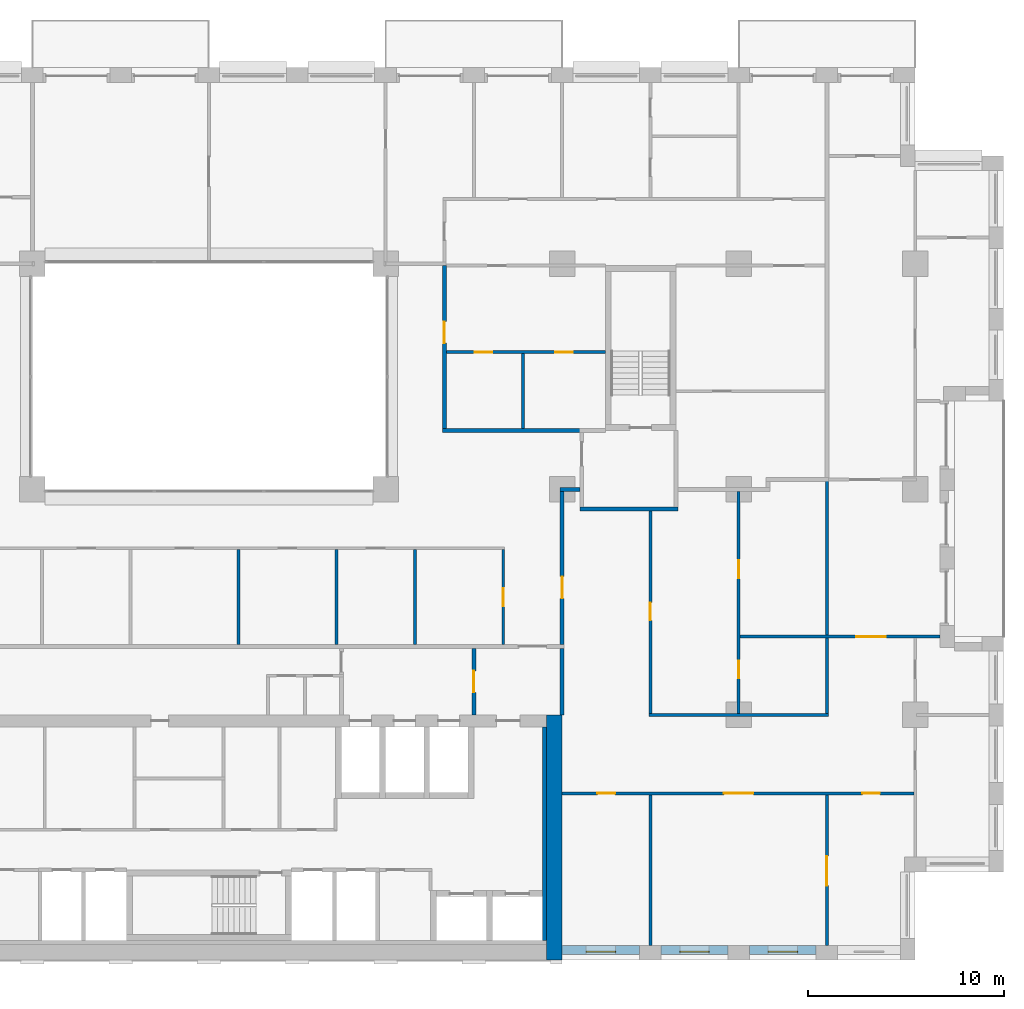
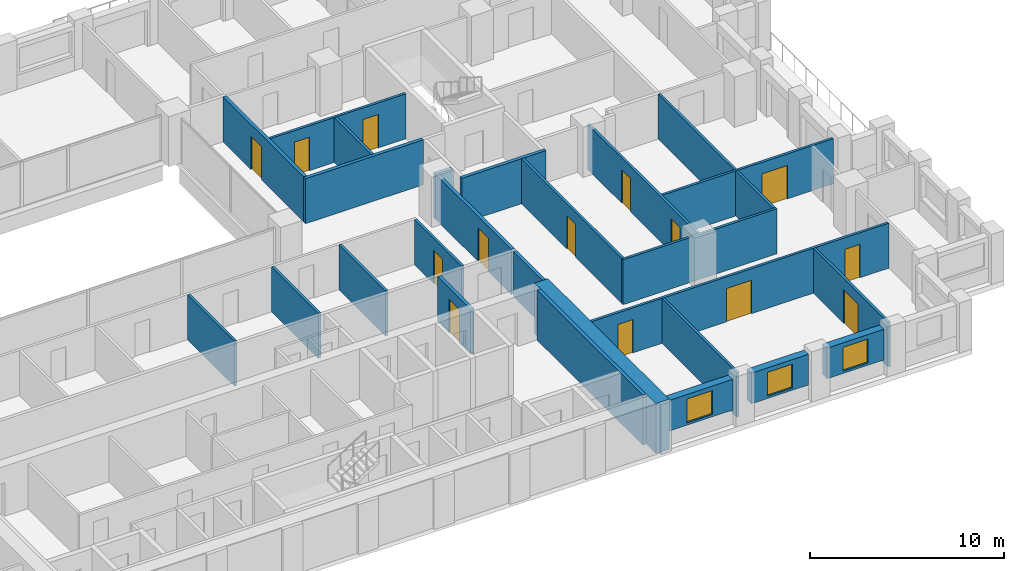
# One storey, part 11 of 16: 27 walls, 14 doors, 3 windows, 17 openings.
"""IFC4 building model written with IfcOpenShell, lengths in metres."""

import ifcopenshell
import ifcopenshell.guid

model = None  # the IFC model being written
_history = None  # IfcOwnerHistory: only IFC2X3 demands one
_inside = {}  # id of a spatial element -> (the spatial element, [elements in it])
_under = {}  # id of a project, library or spatial element -> (it, [spatial elements below it])
_declared = {}  # id of a project -> (the project, [libraries it declares])
_typed = {}  # id of a type object -> (the type object, [elements of that type])
_made_of = {}  # id of a material, layer set ... -> (it, [elements and type objects made of it])


def new_model(schema):
    """Start an empty IFC model of exactly this schema.

    Asked for "IFC4X3", IfcOpenShell would pick the latest addendum, in which some entities
    have other attributes; the version numbers below select the first issue.
    IFC2X3 requires an IfcOwnerHistory on every rooted entity: one is made here for all.
    """
    global model, _history
    if schema == "IFC4X3":
        model = ifcopenshell.file(schema_version=(4, 3, 0, 0))
    else:
        model = ifcopenshell.file(schema=schema)
    _inside.clear()
    _under.clear()
    _declared.clear()
    _typed.clear()
    _made_of.clear()
    _history = None
    if model.schema == "IFC2X3":
        org = make("IfcOrganization", Name="unknown")
        user = make(
            "IfcPersonAndOrganization",
            ThePerson=make("IfcPerson", FamilyName="unknown"),
            TheOrganization=org,
        )
        app = make(
            "IfcApplication",
            ApplicationDeveloper=org,
            Version="unknown",
            ApplicationFullName="unknown",
            ApplicationIdentifier="unknown",
        )
        _history = make(
            "IfcOwnerHistory",
            OwningUser=user,
            OwningApplication=app,
            ChangeAction="ADDED",
            CreationDate=0,
        )
    return model


def make(cls, **values):
    """One entity of the class cls with the attributes given. An attribute that is None is left unset."""
    return model.create_entity(
        cls, **{name: value for name, value in values.items() if value is not None}
    )


def rooted(cls, **values):
    """An entity with a GlobalId (a new one), such as an element, a storey or a relation."""
    return make(cls, GlobalId=ifcopenshell.guid.new(), OwnerHistory=_history, **values)


def si_unit(unit_type, name, prefix=None):
    """IfcSIUnit, for example si_unit("LENGTHUNIT", "METRE", prefix="MILLI")."""
    return make("IfcSIUnit", UnitType=unit_type, Prefix=prefix, Name=name)


def assignment(units):
    """IfcUnitAssignment: the units of a project."""
    return None if units is None else make("IfcUnitAssignment", Units=units)


def point(xyz):
    """IfcCartesianPoint."""
    return None if xyz is None else make("IfcCartesianPoint", Coordinates=xyz)


def direction(xyz):
    """IfcDirection."""
    return None if xyz is None else make("IfcDirection", DirectionRatios=xyz)


def frame(location, z_axis=None, x_axis=None):
    """IfcAxis2Placement3D, a coordinate frame: its origin and axes. An axis left out is left unset."""
    return make(
        "IfcAxis2Placement3D",
        Location=point(location),
        Axis=direction(z_axis),
        RefDirection=direction(x_axis),
    )


def frame_2d(location, x_axis=None):
    """IfcAxis2Placement2D, a coordinate frame in the plane: its origin and x axis."""
    return make(
        "IfcAxis2Placement2D", Location=point(location), RefDirection=direction(x_axis)
    )


def origin():
    """The frame at (0, 0, 0) with its axes left unset."""
    return frame((0.0, 0.0, 0.0))


def place(relative_to, where):
    """IfcLocalPlacement: puts the frame where relative to a parent placement (None: the world)."""
    return make(
        "IfcLocalPlacement", PlacementRelTo=relative_to, RelativePlacement=where
    )


def context(
    kind, dimensions, precision=None, world=None, true_north=None, identifier=None
):
    """IfcGeometricRepresentationContext, for example the 3D "Model" context."""
    return make(
        "IfcGeometricRepresentationContext",
        ContextIdentifier=identifier,
        ContextType=kind,
        CoordinateSpaceDimension=dimensions,
        Precision=precision,
        WorldCoordinateSystem=world,
        TrueNorth=true_north,
    )


def subcontext(parent, identifier, kind, view, scale=None):
    """IfcGeometricRepresentationSubContext, for example "Body" below "Model"."""
    return make(
        "IfcGeometricRepresentationSubContext",
        ContextIdentifier=identifier,
        ContextType=kind,
        ParentContext=parent,
        TargetScale=scale,
        TargetView=view,
    )


def project(units=None, contexts=None):
    """IfcProject with its units and contexts."""
    return rooted(
        "IfcProject",
        Name="project",
        RepresentationContexts=contexts,
        UnitsInContext=assignment(units),
    )


def spatial(cls, under=None, at=None, **own):
    """A site, building, storey or space (cls), placed at a placement, below another one or the project."""
    s = rooted(cls, ObjectPlacement=at, **own)
    if under is not None:
        _under.setdefault(under.id(), (under, []))[1].append(s)
    return s


def profile(cls, at=None, kind="AREA", **sizes):
    """A parametric profile (cls). Its sizes go by their IFC names, for example OverallWidth=200.0."""
    return make(cls, ProfileType=kind, Position=at, **sizes)


def rectangle(**sizes):
    """IfcRectangleProfileDef."""
    return profile("IfcRectangleProfileDef", **sizes)


def extrude(swept, where, along, depth):
    """IfcExtrudedAreaSolid: the profile swept, set in the frame where, extruded along a direction by depth."""
    return make(
        "IfcExtrudedAreaSolid",
        SweptArea=swept,
        Position=where,
        ExtrudedDirection=direction(along),
        Depth=depth,
    )


def shape(context_of_items, identifier, shape_type, items):
    """IfcShapeRepresentation: the items that make up one representation, for example the "Body"."""
    return make(
        "IfcShapeRepresentation",
        ContextOfItems=context_of_items,
        RepresentationIdentifier=identifier,
        RepresentationType=shape_type,
        Items=items,
    )


def material(Name=None, Category=None):
    """IfcMaterial."""
    return make("IfcMaterial", Name=Name, Category=Category)


def layer(
    of_material, thickness, ventilated=None, Name=None, Category=None, Priority=None
):
    """IfcMaterialLayer: one layer of a wall or slab, of a material (None: an air gap)."""
    return make(
        "IfcMaterialLayer",
        Material=of_material,
        LayerThickness=thickness,
        IsVentilated=ventilated,
        Name=Name,
        Category=Category,
        Priority=Priority,
    )


def layer_set(layers, Name=None):
    """IfcMaterialLayerSet."""
    return make("IfcMaterialLayerSet", MaterialLayers=layers, LayerSetName=Name)


def made_of(thing, what):
    """Note that an element or type object is made of a material, layer set ...; save() writes the relation."""
    if what is not None:
        _made_of.setdefault(what.id(), (what, []))[1].append(thing)
    return thing


def type_object(cls, material=None, **own):
    """A type object (cls), such as IfcWallType, which elements share."""
    return made_of(rooted(cls, **own), material)


def element(
    cls,
    number,
    at=None,
    inside=None,
    cuts=None,
    type_object=None,
    material=None,
    context=None,
    identifier="Body",
    shape_type=None,
    held_by="IfcProductDefinitionShape",
    body=None,
    shapes=None,
    **own,
):
    """One element of the class cls, such as IfcWall. Its Tag is "e" and its number.

    at: its placement. inside: the storey or other place that contains it. cuts: it is an
    opening in that element (IfcRelVoidsElement). A single representation is given by context,
    identifier, shape_type and body (its items); several are given by shapes. held_by: the class
    of the entity that holds the representations. save() writes the other relations.
    """
    e = rooted(cls, Tag="e%d" % number, ObjectPlacement=at, **own)
    if body is not None:
        shapes = [shape(context, identifier, shape_type, body)]
    if shapes is not None:
        e.Representation = make(held_by, Representations=shapes)
    if inside is not None:
        _inside.setdefault(inside.id(), (inside, []))[1].append(e)
    if cuts is not None:
        rooted(
            "IfcRelVoidsElement", RelatingBuildingElement=cuts, RelatedOpeningElement=e
        )
    if type_object is not None:
        _typed.setdefault(type_object.id(), (type_object, []))[1].append(e)
    return made_of(e, material)


def fill(opening, filler):
    """IfcRelFillsElement: the door or window that sits in an opening."""
    return rooted(
        "IfcRelFillsElement",
        RelatingOpeningElement=opening,
        RelatedBuildingElement=filler,
    )


def aggregate(whole, parts):
    """IfcRelAggregates: a whole, such as a stair, and the parts it consists of."""
    return rooted("IfcRelAggregates", RelatingObject=whole, RelatedObjects=parts)


def save(model, path):
    """Write the relations noted so far, then the file.

    IfcRelAggregates (storeys below a building ...), IfcRelContainedInSpatialStructure (elements
    in a storey), IfcRelDefinesByType, IfcRelAssociatesMaterial and IfcRelDeclares: one each for
    every whole, place, type object, material and project.
    """
    for whole, parts in _under.values():
        aggregate(whole, parts)
    for where, things in _inside.values():
        rooted(
            "IfcRelContainedInSpatialStructure",
            RelatedElements=things,
            RelatingStructure=where,
        )
    for kind, things in _typed.values():
        rooted("IfcRelDefinesByType", RelatedObjects=things, RelatingType=kind)
    for what, things in _made_of.values():
        rooted("IfcRelAssociatesMaterial", RelatedObjects=things, RelatingMaterial=what)
    for by, libraries in _declared.values():
        rooted("IfcRelDeclares", RelatingContext=by, RelatedDefinitions=libraries)
    model.write(path)


model = new_model("IFC4")

# Units and contexts
model_context = context("Model", 3, precision=1e-05, world=origin(), true_north=direction((0.0, 1.0)))
body_context = subcontext(model_context, "Body", "Model", "MODEL_VIEW")
ifc_project = project(units=[si_unit("LENGTHUNIT", "METRE"), si_unit("AREAUNIT", "SQUARE_METRE"), si_unit("VOLUMEUNIT", "CUBIC_METRE"), si_unit("PLANEANGLEUNIT", "RADIAN"), si_unit("MASSUNIT", "GRAM", prefix="KILO")], contexts=[model_context])

# Site, building, storey
site_placement = place(None, origin())
site = spatial("IfcSite", under=ifc_project, at=site_placement, CompositionType="ELEMENT")
building_placement = place(site_placement, origin())
building = spatial("IfcBuilding", under=site, at=building_placement, Name="Brigalow Station Residences", CompositionType="ELEMENT")
storey_placement = place(building_placement, frame((0.0, 0.0, 86.699951171875)))
storey = spatial("IfcBuildingStorey", under=building, at=storey_placement, Name="L24", CompositionType="ELEMENT", Elevation=86.699951171875)

# Wall, opening, window
ifc_material_1 = material(Name="Clay brick masonry", Category="masonry")
ifc_layer_1 = layer(ifc_material_1, 0.449951171875)
ifc_layer_set_1 = layer_set([ifc_layer_1], Name="BRICK INFILL WALL 450")
wall_type_1 = type_object("IfcWallType", Name="BRICK INFILL WALL 450", PredefinedType="SOLIDWALL", material=ifc_layer_set_1)
wall_1_placement = place(storey_placement, frame((54.0, 0.52490234375, 0.900146484375), z_axis=(0.0, 0.0, 1.0), x_axis=(1.0, 0.0, 0.0)))
wall_1 = element("IfcWall", 1, at=wall_1_placement, inside=storey, type_object=wall_type_1, Name="L24/ewall/W-L24-4", PredefinedType="SOLIDWALL", context=body_context, shape_type="SweptSolid", body=[
    extrude(rectangle(XDim=3.949951171875, YDim=0.449951171875, at=frame_2d((1.97509765625, 0.0))), origin(), (0.0, 0.0, 1.0), 1.929931640625),
])
opening_1_placement = place(wall_1_placement, frame((1.22509765625, 0.0, 0.14990234375)))
opening_1 = element("IfcOpeningElement", 2, at=opening_1_placement, cuts=wall_1, Name="Opening WT-1", PredefinedType="OPENING", context=body_context, shape_type="SweptSolid", body=[
    extrude(rectangle(XDim=1.5, YDim=1.5, at=frame_2d((0.75, 0.75))), frame((0.0, 0.23486328125, 0.0), z_axis=(0.0, -1.0, 0.0), x_axis=(1.0, 0.0, 0.0)), (0.0, 0.0, 1.0), 0.469970703125),
])
ifc_material_2 = material(Name="Anodised aluminium frame with double glazing", Category="aluminium")
window_type = type_object("IfcWindowType", Name="WINDOW 1500x1500", PartitioningType="SINGLE_PANEL", PredefinedType="WINDOW", material=ifc_material_2)
window_1_placement = place(opening_1_placement, origin())
window_1 = element("IfcWindow", 3, at=window_1_placement, inside=storey, type_object=window_type, Name="L24/window/W-L24-4", OverallHeight=1.5, OverallWidth=1.5, PartitioningType="SINGLE_PANEL", PredefinedType="WINDOW", context=body_context, shape_type="SweptSolid", body=[
    extrude(rectangle(XDim=1.5, YDim=1.5, at=frame_2d((0.75, 0.75))), frame((0.0, -0.06494140625, 0.0), z_axis=(0.0, -1.0, 0.0), x_axis=(1.0, 0.0, 0.0)), (0.0, 0.0, 1.0), 0.06005859375),
])
fill(opening_1, window_1)

wall_2_placement = place(storey_placement, frame((59.050048828125, 0.52490234375, 0.900146484375), z_axis=(0.0, 0.0, 1.0), x_axis=(1.0, 0.0, 0.0)))
wall_2 = element("IfcWall", 4, at=wall_2_placement, inside=storey, type_object=wall_type_1, Name="L24/ewall/W-L24-5", PredefinedType="SOLIDWALL", context=body_context, shape_type="SweptSolid", body=[
    extrude(rectangle(XDim=3.39990234375, YDim=0.449951171875, at=frame_2d((1.699951171875, 0.0))), origin(), (0.0, 0.0, 1.0), 1.929931640625),
])
opening_2_placement = place(wall_2_placement, frame((0.949951171875, 0.0, 0.14990234375)))
opening_2 = element("IfcOpeningElement", 5, at=opening_2_placement, cuts=wall_2, Name="Opening WT-1", PredefinedType="OPENING", context=body_context, shape_type="SweptSolid", body=[
    extrude(rectangle(XDim=1.5, YDim=1.5, at=frame_2d((0.75, 0.75))), frame((0.0, 0.23486328125, 0.0), z_axis=(0.0, -1.0, 0.0), x_axis=(1.0, 0.0, 0.0)), (0.0, 0.0, 1.0), 0.469970703125),
])
window_2_placement = place(opening_2_placement, origin())
window_2 = element("IfcWindow", 6, at=window_2_placement, inside=storey, type_object=window_type, Name="L24/window/W-L24-5", OverallHeight=1.5, OverallWidth=1.5, PartitioningType="SINGLE_PANEL", PredefinedType="WINDOW", context=body_context, shape_type="SweptSolid", body=[
    extrude(rectangle(XDim=1.5, YDim=1.5, at=frame_2d((0.75, 0.75))), frame((0.0, -0.06494140625, 0.0), z_axis=(0.0, -1.0, 0.0), x_axis=(1.0, 0.0, 0.0)), (0.0, 0.0, 1.0), 0.06005859375),
])
fill(opening_2, window_2)

wall_3_placement = place(storey_placement, frame((63.550048828125, 0.52490234375, 0.900146484375), z_axis=(0.0, 0.0, 1.0), x_axis=(1.0, 0.0, 0.0)))
wall_3 = element("IfcWall", 7, at=wall_3_placement, inside=storey, type_object=wall_type_1, Name="L24/ewall/W-L24-6", PredefinedType="SOLIDWALL", context=body_context, shape_type="SweptSolid", body=[
    extrude(rectangle(XDim=3.39990234375, YDim=0.449951171875, at=frame_2d((1.699951171875, 0.0))), origin(), (0.0, 0.0, 1.0), 1.929931640625),
])
opening_3_placement = place(wall_3_placement, frame((0.949951171875, 0.0, 0.14990234375)))
opening_3 = element("IfcOpeningElement", 8, at=opening_3_placement, cuts=wall_3, Name="Opening WT-1", PredefinedType="OPENING", context=body_context, shape_type="SweptSolid", body=[
    extrude(rectangle(XDim=1.5, YDim=1.5, at=frame_2d((0.75, 0.75))), frame((0.0, 0.23486328125, 0.0), z_axis=(0.0, -1.0, 0.0), x_axis=(1.0, 0.0, 0.0)), (0.0, 0.0, 1.0), 0.469970703125),
])
window_3_placement = place(opening_3_placement, origin())
window_3 = element("IfcWindow", 9, at=window_3_placement, inside=storey, type_object=window_type, Name="L24/window/W-L24-6", OverallHeight=1.5, OverallWidth=1.5, PartitioningType="SINGLE_PANEL", PredefinedType="WINDOW", context=body_context, shape_type="SweptSolid", body=[
    extrude(rectangle(XDim=1.5, YDim=1.5, at=frame_2d((0.75, 0.75))), frame((0.0, -0.06494140625, 0.0), z_axis=(0.0, -1.0, 0.0), x_axis=(1.0, 0.0, 0.0)), (0.0, 0.0, 1.0), 0.06005859375),
])
fill(opening_3, window_3)

# Walls
ifc_material_3 = material(Name="Concrete C65", Category="concrete")
ifc_layer_2 = layer(ifc_material_3, 0.199951171875)
ifc_layer_set_2 = layer_set([ifc_layer_2], Name="CORE SHEAR WALL 200 C65")
wall_type_2 = type_object("IfcWallType", Name="CORE SHEAR WALL 200 C65", PredefinedType="SHEAR", material=ifc_layer_set_2)
wall_4_placement = place(storey_placement, frame((53.10009765625, 1.0, 0.0), z_axis=(0.0, 0.0, 1.0), x_axis=(0.0, 1.0, 0.0)))
element("IfcWall", 10, at=wall_4_placement, inside=storey, type_object=wall_type_2, Name="CORE WALL LIN-E L24", PredefinedType="SHEAR", context=body_context, shape_type="SweptSolid", body=[
    extrude(rectangle(XDim=10.89990234375, YDim=0.199951171875, at=frame_2d((5.449951171875, 0.0))), origin(), (0.0, 0.0, 1.0), 3.150146484375),
])
ifc_material_4 = material(Name="Concrete C65", Category="concrete")
ifc_layer_3 = layer(ifc_material_4, 0.800048828125)
ifc_layer_set_3 = layer_set([ifc_layer_3], Name="CORE SHEAR WALL 800 C65")
wall_type_3 = type_object("IfcWallType", Name="CORE SHEAR WALL 800 C65", PredefinedType="SHEAR", material=ifc_layer_set_3)
wall_5_placement = place(storey_placement, frame((53.60009765625, 0.0, 0.0), z_axis=(0.0, 0.0, 1.0), x_axis=(0.0, 1.0, 0.0)))
element("IfcWall", 11, at=wall_5_placement, inside=storey, type_object=wall_type_3, Name="CORE WALL OUT-E L24", PredefinedType="SHEAR", context=body_context, shape_type="SweptSolid", body=[
    extrude(rectangle(XDim=12.5, YDim=0.800048828125, at=frame_2d((6.25, 0.0))), origin(), (0.0, 0.0, 1.0), 3.150146484375),
])
ifc_material_5 = material(Name="Concrete blockwork", Category="masonry")
ifc_layer_4 = layer(ifc_material_5, 0.199951171875)
ifc_layer_set_4 = layer_set([ifc_layer_4], Name="FIRE RATED CORE PARTITION 200")
wall_type_4 = type_object("IfcWallType", Name="FIRE RATED CORE PARTITION 200", PredefinedType="PARTITIONING", material=ifc_layer_set_4)
wall_6_placement = place(storey_placement, frame((54.89990234375, 23.0, 0.0), z_axis=(0.0, 0.0, 1.0), x_axis=(1.0, 0.0, 0.0)))
element("IfcWall", 12, at=wall_6_placement, inside=storey, type_object=wall_type_4, Name="PW-5024", PredefinedType="PARTITIONING", context=body_context, shape_type="SweptSolid", body=[
    extrude(rectangle(XDim=5.0, YDim=0.199951171875, at=frame_2d((2.5, 0.0))), origin(), (0.0, 0.0, 1.0), 2.830078125),
])

# Wall, opening, door
wall_7_placement = place(storey_placement, frame((49.5, 12.5, 0.0), z_axis=(0.0, 0.0, 1.0), x_axis=(0.0, 1.0, 0.0)))
wall_7 = element("IfcWall", 13, at=wall_7_placement, inside=storey, type_object=wall_type_4, Name="PW-5015", PredefinedType="PARTITIONING", context=body_context, shape_type="SweptSolid", body=[
    extrude(rectangle(XDim=3.39990234375, YDim=0.199951171875, at=frame_2d((1.699951171875, 0.0))), origin(), (0.0, 0.0, 1.0), 2.830078125),
])
opening_4_placement = place(wall_7_placement, frame((1.14990234375, 0.0, 0.0)))
opening_4 = element("IfcOpeningElement", 14, at=opening_4_placement, cuts=wall_7, Name="Opening D-5014", PredefinedType="OPENING", context=body_context, shape_type="SweptSolid", body=[
    extrude(rectangle(XDim=1.10009765625, YDim=2.10009765625, at=frame_2d((0.550048828125, 1.050048828125))), frame((0.0, 0.10986328125, 0.0), z_axis=(0.0, -1.0, 0.0), x_axis=(1.0, 0.0, 0.0)), (0.0, 0.0, 1.0), 0.219970703125),
])
ifc_material_6 = material(Name="Steel fire door leaf in steel frame", Category="steel")
door_type_1 = type_object("IfcDoorType", Name="LOBBY DOOR 1100 x 2100 FD60S", OperationType="SINGLE_SWING_LEFT", PredefinedType="DOOR", material=ifc_material_6)
door_1_placement = place(opening_4_placement, origin())
door_1 = element("IfcDoor", 15, at=door_1_placement, inside=storey, type_object=door_type_1, Name="D-5014", OperationType="SINGLE_SWING_LEFT", OverallHeight=2.10009765625, OverallWidth=1.10009765625, PredefinedType="DOOR", context=body_context, shape_type="SweptSolid", body=[
    extrude(rectangle(XDim=1.10009765625, YDim=2.10009765625, at=frame_2d((0.550048828125, 1.050048828125))), frame((0.0, 0.02490234375, 0.0), z_axis=(0.0, -1.0, 0.0), x_axis=(1.0, 0.0, 0.0)), (0.0, 0.0, 1.0), 0.050048828125),
])
fill(opening_4, door_1)

# Wall
wall_8_placement = place(storey_placement, frame((54.0, 12.5, 0.0), z_axis=(0.0, 0.0, 1.0), x_axis=(0.0, 1.0, 0.0)))
element("IfcWall", 16, at=wall_8_placement, inside=storey, type_object=wall_type_4, Name="PW-5016", PredefinedType="PARTITIONING", context=body_context, shape_type="SweptSolid", body=[
    extrude(rectangle(XDim=3.39990234375, YDim=0.199951171875, at=frame_2d((1.699951171875, 0.0))), origin(), (0.0, 0.0, 1.0), 2.830078125),
])

# Wall, openings, doors
ifc_material_7 = material(Name="Plasterboard on steel stud partition", Category="steel")
ifc_layer_5 = layer(ifc_material_7, 0.14990234375)
ifc_layer_set_5 = layer_set([ifc_layer_5], Name="FLAT PARTITION 150")
wall_type_5 = type_object("IfcWallType", Name="FLAT PARTITION 150", PredefinedType="PARTITIONING", material=ifc_layer_set_5)
wall_9_placement = place(storey_placement, frame((54.0, 8.5, 0.0), z_axis=(0.0, 0.0, 1.0), x_axis=(1.0, 0.0, 0.0)))
wall_9 = element("IfcWall", 17, at=wall_9_placement, inside=storey, type_object=wall_type_5, Name="PW-2A12", PredefinedType="PARTITIONING", context=body_context, shape_type="SweptSolid", body=[
    extrude(rectangle(XDim=17.925048828125, YDim=0.14990234375, at=frame_2d((8.96240234375, 0.0))), origin(), (0.0, 0.0, 1.0), 2.830078125),
])
opening_5_placement = place(wall_9_placement, frame((1.800048828125, 0.0, 0.0)))
opening_5 = element("IfcOpeningElement", 18, at=opening_5_placement, cuts=wall_9, Name="Opening D-2A35", PredefinedType="OPENING", context=body_context, shape_type="SweptSolid", body=[
    extrude(rectangle(XDim=0.89990234375, YDim=2.10009765625, at=frame_2d((0.449951171875, 1.050048828125))), frame((0.0, 0.0849609375, 0.0), z_axis=(0.0, -1.0, 0.0), x_axis=(1.0, 0.0, 0.0)), (0.0, 0.0, 1.0), 0.169921875),
])
opening_6_placement = place(wall_9_placement, frame((8.25, 0.0, 0.0)))
opening_6 = element("IfcOpeningElement", 19, at=opening_6_placement, cuts=wall_9, Name="Opening D-2A36", PredefinedType="OPENING", context=body_context, shape_type="SweptSolid", body=[
    extrude(rectangle(XDim=1.5, YDim=2.10009765625, at=frame_2d((0.75, 1.050048828125))), frame((0.0, 0.0849609375, 0.0), z_axis=(0.0, -1.0, 0.0), x_axis=(1.0, 0.0, 0.0)), (0.0, 0.0, 1.0), 0.169921875),
])
opening_7_placement = place(wall_9_placement, frame((15.300048828125, 0.0, 0.0)))
opening_7 = element("IfcOpeningElement", 20, at=opening_7_placement, cuts=wall_9, Name="Opening D-2A37", PredefinedType="OPENING", context=body_context, shape_type="SweptSolid", body=[
    extrude(rectangle(XDim=0.89990234375, YDim=2.10009765625, at=frame_2d((0.449951171875, 1.050048828125))), frame((0.0, 0.0849609375, 0.0), z_axis=(0.0, -1.0, 0.0), x_axis=(1.0, 0.0, 0.0)), (0.0, 0.0, 1.0), 0.169921875),
])
ifc_material_8 = material(Name="Solid-core timber door leaf", Category="wood")
door_type_2 = type_object("IfcDoorType", Name="INTERNAL DOOR 900 x 2100", OperationType="SINGLE_SWING_LEFT", PredefinedType="DOOR", material=ifc_material_8)
door_2_placement = place(opening_5_placement, frame((0.89990234375, 0.0, 0.0), z_axis=(0.0, 0.0, 1.0), x_axis=(-1.0, 0.0, 0.0)))
door_2 = element("IfcDoor", 21, at=door_2_placement, inside=storey, type_object=door_type_2, Name="D-2A35", OperationType="SINGLE_SWING_LEFT", OverallHeight=2.10009765625, OverallWidth=0.89990234375, PredefinedType="DOOR", context=body_context, shape_type="SweptSolid", body=[
    extrude(rectangle(XDim=0.89990234375, YDim=2.10009765625, at=frame_2d((0.449951171875, 1.050048828125))), frame((0.0, 0.02490234375, 0.0), z_axis=(0.0, -1.0, 0.0), x_axis=(1.0, 0.0, 0.0)), (0.0, 0.0, 1.0), 0.050048828125),
])
fill(opening_5, door_2)
door_3_placement = place(opening_7_placement, frame((0.89990234375, 0.0, 0.0), z_axis=(0.0, 0.0, 1.0), x_axis=(-1.0, 0.0, 0.0)))
door_3 = element("IfcDoor", 22, at=door_3_placement, inside=storey, type_object=door_type_2, Name="D-2A37", OperationType="SINGLE_SWING_RIGHT", OverallHeight=2.10009765625, OverallWidth=0.89990234375, PredefinedType="DOOR", context=body_context, shape_type="SweptSolid", body=[
    extrude(rectangle(XDim=0.89990234375, YDim=2.10009765625, at=frame_2d((0.449951171875, 1.050048828125))), frame((0.0, 0.02490234375, 0.0), z_axis=(0.0, -1.0, 0.0), x_axis=(1.0, 0.0, 0.0)), (0.0, 0.0, 1.0), 0.050048828125),
])
fill(opening_7, door_3)
ifc_material_9 = material(Name="Solid-core timber door leaf", Category="wood")
door_type_3 = type_object("IfcDoorType", Name="INTERNAL DOUBLE DOOR 1500 x 2100", OperationType="DOUBLE_DOOR_SINGLE_SWING", PredefinedType="DOOR", material=ifc_material_9)
door_4_placement = place(opening_6_placement, frame((1.5, 0.0, 0.0), z_axis=(0.0, 0.0, 1.0), x_axis=(-1.0, 0.0, 0.0)))
door_4 = element("IfcDoor", 23, at=door_4_placement, inside=storey, type_object=door_type_3, Name="D-2A36", OperationType="DOUBLE_DOOR_SINGLE_SWING", OverallHeight=2.10009765625, OverallWidth=1.5, PredefinedType="DOOR", context=body_context, shape_type="SweptSolid", body=[
    extrude(rectangle(XDim=1.5, YDim=2.10009765625, at=frame_2d((0.75, 1.050048828125))), frame((0.0, 0.02490234375, 0.0), z_axis=(0.0, -1.0, 0.0), x_axis=(1.0, 0.0, 0.0)), (0.0, 0.0, 1.0), 0.050048828125),
])
fill(opening_6, door_4)

# Wall, opening, door
wall_10_placement = place(storey_placement, frame((63.074951171875, 16.5, 0.0), z_axis=(0.0, 0.0, 1.0), x_axis=(1.0, 0.0, 0.0)))
wall_10 = element("IfcWall", 24, at=wall_10_placement, inside=storey, type_object=wall_type_5, Name="PW-2A15", PredefinedType="PARTITIONING", context=body_context, shape_type="SweptSolid", body=[
    extrude(rectangle(XDim=10.175048828125, YDim=0.14990234375, at=frame_2d((5.08740234375, 0.0))), origin(), (0.0, 0.0, 1.0), 2.830078125),
])
opening_8_placement = place(wall_10_placement, frame((5.925048828125, 0.0, 0.0)))
opening_8 = element("IfcOpeningElement", 25, at=opening_8_placement, cuts=wall_10, Name="Opening D-2A44", PredefinedType="OPENING", context=body_context, shape_type="SweptSolid", body=[
    extrude(rectangle(XDim=1.5, YDim=2.10009765625, at=frame_2d((0.75, 1.050048828125))), frame((0.0, 0.0849609375, 0.0), z_axis=(0.0, -1.0, 0.0), x_axis=(1.0, 0.0, 0.0)), (0.0, 0.0, 1.0), 0.169921875),
])
door_5_placement = place(opening_8_placement, origin())
door_5 = element("IfcDoor", 26, at=door_5_placement, inside=storey, type_object=door_type_3, Name="D-2A44", OperationType="DOUBLE_DOOR_SINGLE_SWING", OverallHeight=2.10009765625, OverallWidth=1.5, PredefinedType="DOOR", context=body_context, shape_type="SweptSolid", body=[
    extrude(rectangle(XDim=1.5, YDim=2.10009765625, at=frame_2d((0.75, 1.050048828125))), frame((0.0, 0.02490234375, 0.0), z_axis=(0.0, -1.0, 0.0), x_axis=(1.0, 0.0, 0.0)), (0.0, 0.0, 1.0), 0.050048828125),
])
fill(opening_8, door_5)

# Wall
wall_11_placement = place(storey_placement, frame((58.425048828125, 12.5, 0.0), z_axis=(0.0, 0.0, 1.0), x_axis=(1.0, 0.0, 0.0)))
element("IfcWall", 27, at=wall_11_placement, inside=storey, type_object=wall_type_5, Name="PW-2A17", PredefinedType="PARTITIONING", context=body_context, shape_type="SweptSolid", body=[
    extrude(rectangle(XDim=9.14990234375, YDim=0.14990234375, at=frame_2d((4.574951171875, 0.0))), origin(), (0.0, 0.0, 1.0), 2.830078125),
])

# Wall, openings, doors
wall_12_placement = place(storey_placement, frame((48.10009765625, 31.0, 0.0), z_axis=(0.0, 0.0, 1.0), x_axis=(1.0, 0.0, 0.0)))
wall_12 = element("IfcWall", 28, at=wall_12_placement, inside=storey, type_object=wall_type_5, Name="PW-2A35", PredefinedType="PARTITIONING", context=body_context, shape_type="SweptSolid", body=[
    extrude(rectangle(XDim=8.099853515625, YDim=0.14990234375, at=frame_2d((4.0498046875, 0.0))), origin(), (0.0, 0.0, 1.0), 2.830078125),
])
opening_9_placement = place(wall_12_placement, frame((1.449951171875, 0.0, 0.0)))
opening_9 = element("IfcOpeningElement", 29, at=opening_9_placement, cuts=wall_12, Name="Opening D-2A21", PredefinedType="OPENING", context=body_context, shape_type="SweptSolid", body=[
    extrude(rectangle(XDim=0.89990234375, YDim=2.10009765625, at=frame_2d((0.449951171875, 1.050048828125))), frame((0.0, 0.0849609375, 0.0), z_axis=(0.0, -1.0, 0.0), x_axis=(1.0, 0.0, 0.0)), (0.0, 0.0, 1.0), 0.169921875),
])
opening_10_placement = place(wall_12_placement, frame((5.550048828125, 0.0, 0.0)))
opening_10 = element("IfcOpeningElement", 30, at=opening_10_placement, cuts=wall_12, Name="Opening D-2A22", PredefinedType="OPENING", context=body_context, shape_type="SweptSolid", body=[
    extrude(rectangle(XDim=0.89990234375, YDim=2.10009765625, at=frame_2d((0.449951171875, 1.050048828125))), frame((0.0, 0.0849609375, 0.0), z_axis=(0.0, -1.0, 0.0), x_axis=(1.0, 0.0, 0.0)), (0.0, 0.0, 1.0), 0.169921875),
])
door_6_placement = place(opening_9_placement, frame((0.89990234375, 0.0, 0.0), z_axis=(0.0, 0.0, 1.0), x_axis=(-1.0, 0.0, 0.0)))
door_6 = element("IfcDoor", 31, at=door_6_placement, inside=storey, type_object=door_type_2, Name="D-2A21", OperationType="SINGLE_SWING_RIGHT", OverallHeight=2.10009765625, OverallWidth=0.89990234375, PredefinedType="DOOR", context=body_context, shape_type="SweptSolid", body=[
    extrude(rectangle(XDim=0.89990234375, YDim=2.10009765625, at=frame_2d((0.449951171875, 1.050048828125))), frame((0.0, 0.02490234375, 0.0), z_axis=(0.0, -1.0, 0.0), x_axis=(1.0, 0.0, 0.0)), (0.0, 0.0, 1.0), 0.050048828125),
])
fill(opening_9, door_6)
door_7_placement = place(opening_10_placement, frame((0.89990234375, 0.0, 0.0), z_axis=(0.0, 0.0, 1.0), x_axis=(-1.0, 0.0, 0.0)))
door_7 = element("IfcDoor", 32, at=door_7_placement, inside=storey, type_object=door_type_2, Name="D-2A22", OperationType="SINGLE_SWING_RIGHT", OverallHeight=2.10009765625, OverallWidth=0.89990234375, PredefinedType="DOOR", context=body_context, shape_type="SweptSolid", body=[
    extrude(rectangle(XDim=0.89990234375, YDim=2.10009765625, at=frame_2d((0.449951171875, 1.050048828125))), frame((0.0, 0.02490234375, 0.0), z_axis=(0.0, -1.0, 0.0), x_axis=(1.0, 0.0, 0.0)), (0.0, 0.0, 1.0), 0.050048828125),
])
fill(opening_10, door_7)

# Wall, opening, door
wall_13_placement = place(storey_placement, frame((51.0, 16.10009765625, 0.0), z_axis=(0.0, 0.0, 1.0), x_axis=(0.0, 1.0, 0.0)))
wall_13 = element("IfcWall", 33, at=wall_13_placement, inside=storey, type_object=wall_type_5, Name="PW-2A44", PredefinedType="PARTITIONING", context=body_context, shape_type="SweptSolid", body=[
    extrude(rectangle(XDim=4.824951171875, YDim=0.14990234375, at=frame_2d((2.41259765625, 0.0))), origin(), (0.0, 0.0, 1.0), 2.830078125),
])
opening_11_placement = place(wall_13_placement, frame((1.949951171875, 0.0, 0.0)))
opening_11 = element("IfcOpeningElement", 34, at=opening_11_placement, cuts=wall_13, Name="Opening D-2A54", PredefinedType="OPENING", context=body_context, shape_type="SweptSolid", body=[
    extrude(rectangle(XDim=0.89990234375, YDim=2.10009765625, at=frame_2d((0.449951171875, 1.050048828125))), frame((0.0, 0.0849609375, 0.0), z_axis=(0.0, -1.0, 0.0), x_axis=(1.0, 0.0, 0.0)), (0.0, 0.0, 1.0), 0.169921875),
])
door_8_placement = place(opening_11_placement, origin())
door_8 = element("IfcDoor", 35, at=door_8_placement, inside=storey, type_object=door_type_2, Name="D-2A54", OperationType="SINGLE_SWING_LEFT", OverallHeight=2.10009765625, OverallWidth=0.89990234375, PredefinedType="DOOR", context=body_context, shape_type="SweptSolid", body=[
    extrude(rectangle(XDim=0.89990234375, YDim=2.10009765625, at=frame_2d((0.449951171875, 1.050048828125))), frame((0.0, 0.02490234375, 0.0), z_axis=(0.0, -1.0, 0.0), x_axis=(1.0, 0.0, 0.0)), (0.0, 0.0, 1.0), 0.050048828125),
])
fill(opening_11, door_8)

# Wall
wall_14_placement = place(storey_placement, frame((52.0, 27.10009765625, 0.0), z_axis=(0.0, 0.0, 1.0), x_axis=(0.0, 1.0, 0.0)))
element("IfcWall", 36, at=wall_14_placement, inside=storey, type_object=wall_type_5, Name="PW-2A59", PredefinedType="PARTITIONING", context=body_context, shape_type="SweptSolid", body=[
    extrude(rectangle(XDim=3.824951171875, YDim=0.14990234375, at=frame_2d((1.91259765625, 0.0))), origin(), (0.0, 0.0, 1.0), 2.830078125),
])

# Wall, opening, door
wall_15_placement = place(storey_placement, frame((67.5, 0.75, 0.0), z_axis=(0.0, 0.0, 1.0), x_axis=(0.0, 1.0, 0.0)))
wall_15 = element("IfcWall", 37, at=wall_15_placement, inside=storey, type_object=wall_type_5, Name="PW-2A60", PredefinedType="PARTITIONING", context=body_context, shape_type="SweptSolid", body=[
    extrude(rectangle(XDim=7.675048828125, YDim=0.14990234375, at=frame_2d((3.83740234375, 0.0))), origin(), (0.0, 0.0, 1.0), 2.830078125),
])
opening_12_placement = place(wall_15_placement, frame((3.050048828125, 0.0, 0.0)))
opening_12 = element("IfcOpeningElement", 38, at=opening_12_placement, cuts=wall_15, Name="Opening D-2A38", PredefinedType="OPENING", context=body_context, shape_type="SweptSolid", body=[
    extrude(rectangle(XDim=1.5, YDim=2.10009765625, at=frame_2d((0.75, 1.050048828125))), frame((0.0, 0.0849609375, 0.0), z_axis=(0.0, -1.0, 0.0), x_axis=(1.0, 0.0, 0.0)), (0.0, 0.0, 1.0), 0.169921875),
])
door_9_placement = place(opening_12_placement, frame((1.5, 0.0, 0.0), z_axis=(0.0, 0.0, 1.0), x_axis=(-1.0, 0.0, 0.0)))
door_9 = element("IfcDoor", 39, at=door_9_placement, inside=storey, type_object=door_type_3, Name="D-2A38", OperationType="DOUBLE_DOOR_SINGLE_SWING", OverallHeight=2.10009765625, OverallWidth=1.5, PredefinedType="DOOR", context=body_context, shape_type="SweptSolid", body=[
    extrude(rectangle(XDim=1.5, YDim=2.10009765625, at=frame_2d((0.75, 1.050048828125))), frame((0.0, 0.02490234375, 0.0), z_axis=(0.0, -1.0, 0.0), x_axis=(1.0, 0.0, 0.0)), (0.0, 0.0, 1.0), 0.050048828125),
])
fill(opening_12, door_9)

# Walls
wall_16_placement = place(storey_placement, frame((67.5, 12.574951171875, 0.0), z_axis=(0.0, 0.0, 1.0), x_axis=(0.0, 1.0, 0.0)))
element("IfcWall", 40, at=wall_16_placement, inside=storey, type_object=wall_type_5, Name="PW-2A61", PredefinedType="PARTITIONING", context=body_context, shape_type="SweptSolid", body=[
    extrude(rectangle(XDim=3.85009765625, YDim=0.14990234375, at=frame_2d((1.925048828125, 0.0))), origin(), (0.0, 0.0, 1.0), 2.830078125),
])
wall_17_placement = place(storey_placement, frame((67.5, 16.574951171875, 0.0), z_axis=(0.0, 0.0, 1.0), x_axis=(0.0, 1.0, 0.0)))
element("IfcWall", 41, at=wall_17_placement, inside=storey, type_object=wall_type_5, Name="PW-2A62", PredefinedType="PARTITIONING", context=body_context, shape_type="SweptSolid", body=[
    extrude(rectangle(XDim=7.85009765625, YDim=0.14990234375, at=frame_2d((3.925048828125, 0.0))), origin(), (0.0, 0.0, 1.0), 2.830078125),
])
wall_18_placement = place(storey_placement, frame((58.5, 0.75, 0.0), z_axis=(0.0, 0.0, 1.0), x_axis=(0.0, 1.0, 0.0)))
element("IfcWall", 42, at=wall_18_placement, inside=storey, type_object=wall_type_5, Name="PW-2A64", PredefinedType="PARTITIONING", context=body_context, shape_type="SweptSolid", body=[
    extrude(rectangle(XDim=7.675048828125, YDim=0.14990234375, at=frame_2d((3.83740234375, 0.0))), origin(), (0.0, 0.0, 1.0), 2.830078125),
])

# Wall, opening, door
wall_19_placement = place(storey_placement, frame((58.5, 12.574951171875, 0.0), z_axis=(0.0, 0.0, 1.0), x_axis=(0.0, 1.0, 0.0)))
wall_19 = element("IfcWall", 43, at=wall_19_placement, inside=storey, type_object=wall_type_5, Name="PW-2A65", PredefinedType="PARTITIONING", context=body_context, shape_type="SweptSolid", body=[
    extrude(rectangle(XDim=10.324951171875, YDim=0.14990234375, at=frame_2d((5.16259765625, 0.0))), origin(), (0.0, 0.0, 1.0), 2.830078125),
])
opening_13_placement = place(wall_19_placement, frame((4.75, 0.0, 0.0)))
opening_13 = element("IfcOpeningElement", 44, at=opening_13_placement, cuts=wall_19, Name="Opening D-2A40", PredefinedType="OPENING", context=body_context, shape_type="SweptSolid", body=[
    extrude(rectangle(XDim=0.89990234375, YDim=2.10009765625, at=frame_2d((0.449951171875, 1.050048828125))), frame((0.0, 0.0849609375, 0.0), z_axis=(0.0, -1.0, 0.0), x_axis=(1.0, 0.0, 0.0)), (0.0, 0.0, 1.0), 0.169921875),
])
door_10_placement = place(opening_13_placement, frame((0.89990234375, 0.0, 0.0), z_axis=(0.0, 0.0, 1.0), x_axis=(-1.0, 0.0, 0.0)))
door_10 = element("IfcDoor", 45, at=door_10_placement, inside=storey, type_object=door_type_2, Name="D-2A40", OperationType="SINGLE_SWING_LEFT", OverallHeight=2.10009765625, OverallWidth=0.89990234375, PredefinedType="DOOR", context=body_context, shape_type="SweptSolid", body=[
    extrude(rectangle(XDim=0.89990234375, YDim=2.10009765625, at=frame_2d((0.449951171875, 1.050048828125))), frame((0.0, 0.02490234375, 0.0), z_axis=(0.0, -1.0, 0.0), x_axis=(1.0, 0.0, 0.0)), (0.0, 0.0, 1.0), 0.050048828125),
])
fill(opening_13, door_10)

# Wall, openings, doors
wall_20_placement = place(storey_placement, frame((63.0, 12.574951171875, 0.0), z_axis=(0.0, 0.0, 1.0), x_axis=(0.0, 1.0, 0.0)))
wall_20 = element("IfcWall", 46, at=wall_20_placement, inside=storey, type_object=wall_type_5, Name="PW-2A67", PredefinedType="PARTITIONING", context=body_context, shape_type="SweptSolid", body=[
    extrude(rectangle(XDim=11.324951171875, YDim=0.14990234375, at=frame_2d((5.66259765625, 0.0))), origin(), (0.0, 0.0, 1.0), 2.830078125),
])
opening_14_placement = place(wall_20_placement, frame((1.800048828125, 0.0, 0.0)))
opening_14 = element("IfcOpeningElement", 47, at=opening_14_placement, cuts=wall_20, Name="Opening D-2A41", PredefinedType="OPENING", context=body_context, shape_type="SweptSolid", body=[
    extrude(rectangle(XDim=0.89990234375, YDim=2.10009765625, at=frame_2d((0.449951171875, 1.050048828125))), frame((0.0, 0.0849609375, 0.0), z_axis=(0.0, -1.0, 0.0), x_axis=(1.0, 0.0, 0.0)), (0.0, 0.0, 1.0), 0.169921875),
])
opening_15_placement = place(wall_20_placement, frame((6.89990234375, 0.0, 0.0)))
opening_15 = element("IfcOpeningElement", 48, at=opening_15_placement, cuts=wall_20, Name="Opening D-2A42", PredefinedType="OPENING", context=body_context, shape_type="SweptSolid", body=[
    extrude(rectangle(XDim=0.89990234375, YDim=2.10009765625, at=frame_2d((0.449951171875, 1.050048828125))), frame((0.0, 0.0849609375, 0.0), z_axis=(0.0, -1.0, 0.0), x_axis=(1.0, 0.0, 0.0)), (0.0, 0.0, 1.0), 0.169921875),
])
door_11_placement = place(opening_14_placement, frame((0.89990234375, 0.0, 0.0), z_axis=(0.0, 0.0, 1.0), x_axis=(-1.0, 0.0, 0.0)))
door_11 = element("IfcDoor", 49, at=door_11_placement, inside=storey, type_object=door_type_2, Name="D-2A41", OperationType="SINGLE_SWING_LEFT", OverallHeight=2.10009765625, OverallWidth=0.89990234375, PredefinedType="DOOR", context=body_context, shape_type="SweptSolid", body=[
    extrude(rectangle(XDim=0.89990234375, YDim=2.10009765625, at=frame_2d((0.449951171875, 1.050048828125))), frame((0.0, 0.02490234375, 0.0), z_axis=(0.0, -1.0, 0.0), x_axis=(1.0, 0.0, 0.0)), (0.0, 0.0, 1.0), 0.050048828125),
])
fill(opening_14, door_11)
door_12_placement = place(opening_15_placement, frame((0.89990234375, 0.0, 0.0), z_axis=(0.0, 0.0, 1.0), x_axis=(-1.0, 0.0, 0.0)))
door_12 = element("IfcDoor", 50, at=door_12_placement, inside=storey, type_object=door_type_2, Name="D-2A42", OperationType="SINGLE_SWING_RIGHT", OverallHeight=2.10009765625, OverallWidth=0.89990234375, PredefinedType="DOOR", context=body_context, shape_type="SweptSolid", body=[
    extrude(rectangle(XDim=0.89990234375, YDim=2.10009765625, at=frame_2d((0.449951171875, 1.050048828125))), frame((0.0, 0.02490234375, 0.0), z_axis=(0.0, -1.0, 0.0), x_axis=(1.0, 0.0, 0.0)), (0.0, 0.0, 1.0), 0.050048828125),
])
fill(opening_15, door_12)

# Walls
for number, where, z_axis, x_axis, name in (
    (51, (37.5, 16.10009765625, 0.0), (0.0, 0.0, 1.0), (0.0, 1.0, 0.0), "PW-2A74"),
    (52, (42.5, 16.10009765625, 0.0), (0.0, 0.0, 1.0), (0.0, 1.0, 0.0), "PW-2A75"),
    (53, (46.5, 16.10009765625, 0.0), (0.0, 0.0, 1.0), (0.0, 1.0, 0.0), "PW-2A76"),
):
    element("IfcWall", number, at=place(storey_placement, frame(where, z_axis=z_axis, x_axis=x_axis)), inside=storey, type_object=wall_type_5, Name=name, PredefinedType="PARTITIONING", context=body_context, shape_type="SweptSolid", body=[
        extrude(rectangle(XDim=4.824951171875, YDim=0.14990234375, at=frame_2d((2.41259765625, 0.0))), origin(), (0.0, 0.0, 1.0), 2.830078125),
    ])
ifc_material_10 = material(Name="Plasterboard on steel stud partition", Category="steel")
ifc_layer_6 = layer(ifc_material_10, 0.199951171875)
ifc_layer_set_6 = layer_set([ifc_layer_6], Name="PARTY AND CORRIDOR WALL 200")
wall_type_6 = type_object("IfcWallType", Name="PARTY AND CORRIDOR WALL 200", PredefinedType="PARTITIONING", material=ifc_layer_set_6)
wall_21_placement = place(storey_placement, frame((53.89990234375, 24.0, 0.0), z_axis=(0.0, 0.0, 1.0), x_axis=(1.0, 0.0, 0.0)))
element("IfcWall", 54, at=wall_21_placement, inside=storey, type_object=wall_type_6, Name="PW-2A03", PredefinedType="PARTITIONING", context=body_context, shape_type="SweptSolid", body=[
    extrude(rectangle(XDim=1.0, YDim=0.199951171875, at=frame_2d((0.5, 0.0))), origin(), (0.0, 0.0, 1.0), 2.830078125),
])
wall_22_placement = place(storey_placement, frame((47.89990234375, 27.0, 0.0), z_axis=(0.0, 0.0, 1.0), x_axis=(1.0, 0.0, 0.0)))
element("IfcWall", 55, at=wall_22_placement, inside=storey, type_object=wall_type_6, Name="PW-2A06", PredefinedType="PARTITIONING", context=body_context, shape_type="SweptSolid", body=[
    extrude(rectangle(XDim=7.0, YDim=0.199951171875, at=frame_2d((3.5, 0.0))), origin(), (0.0, 0.0, 1.0), 2.830078125),
])

# Wall, opening, door
wall_23_placement = place(storey_placement, frame((54.0, 16.10009765625, 0.0), z_axis=(0.0, 0.0, 1.0), x_axis=(0.0, 1.0, 0.0)))
wall_23 = element("IfcWall", 56, at=wall_23_placement, inside=storey, type_object=wall_type_6, Name="PW-2A42", PredefinedType="PARTITIONING", context=body_context, shape_type="SweptSolid", body=[
    extrude(rectangle(XDim=7.7998046875, YDim=0.199951171875, at=frame_2d((3.89990234375, 0.0))), origin(), (0.0, 0.0, 1.0), 2.830078125),
])
opening_16_placement = place(wall_23_placement, frame((2.35009765625, 0.0, 0.0)))
opening_16 = element("IfcOpeningElement", 57, at=opening_16_placement, cuts=wall_23, Name="Opening D-2A34", PredefinedType="OPENING", context=body_context, shape_type="SweptSolid", body=[
    extrude(rectangle(XDim=1.10009765625, YDim=2.10009765625, at=frame_2d((0.550048828125, 1.050048828125))), frame((0.0, 0.10986328125, 0.0), z_axis=(0.0, -1.0, 0.0), x_axis=(1.0, 0.0, 0.0)), (0.0, 0.0, 1.0), 0.219970703125),
])
ifc_material_11 = material(Name="Solid-core timber door leaf", Category="wood")
door_type_4 = type_object("IfcDoorType", Name="FLAT ENTRANCE DOOR 1100 x 2100 FRL -/60/30", OperationType="SINGLE_SWING_LEFT", PredefinedType="DOOR", material=ifc_material_11)
door_13_placement = place(opening_16_placement, frame((1.10009765625, 0.0, 0.0), z_axis=(0.0, 0.0, 1.0), x_axis=(-1.0, 0.0, 0.0)))
door_13 = element("IfcDoor", 58, at=door_13_placement, inside=storey, type_object=door_type_4, Name="D-2A34", OperationType="SINGLE_SWING_LEFT", OverallHeight=2.10009765625, OverallWidth=1.10009765625, PredefinedType="DOOR", context=body_context, shape_type="SweptSolid", body=[
    extrude(rectangle(XDim=1.10009765625, YDim=2.10009765625, at=frame_2d((0.550048828125, 1.050048828125))), frame((0.0, 0.02490234375, 0.0), z_axis=(0.0, -1.0, 0.0), x_axis=(1.0, 0.0, 0.0)), (0.0, 0.0, 1.0), 0.050048828125),
])
fill(opening_16, door_13)

wall_24_placement = place(storey_placement, frame((48.0, 27.10009765625, 0.0), z_axis=(0.0, 0.0, 1.0), x_axis=(0.0, 1.0, 0.0)))
wall_24 = element("IfcWall", 59, at=wall_24_placement, inside=storey, type_object=wall_type_6, Name="PW-2A47", PredefinedType="PARTITIONING", context=body_context, shape_type="SweptSolid", body=[
    extrude(rectangle(XDim=8.2998046875, YDim=0.199951171875, at=frame_2d((4.14990234375, 0.0))), origin(), (0.0, 0.0, 1.0), 2.830078125),
])
opening_17_placement = place(wall_24_placement, frame((4.35009765625, 0.0, 0.0)))
opening_17 = element("IfcOpeningElement", 60, at=opening_17_placement, cuts=wall_24, Name="Opening D-2A20", PredefinedType="OPENING", context=body_context, shape_type="SweptSolid", body=[
    extrude(rectangle(XDim=1.10009765625, YDim=2.10009765625, at=frame_2d((0.550048828125, 1.050048828125))), frame((0.0, 0.10986328125, 0.0), z_axis=(0.0, -1.0, 0.0), x_axis=(1.0, 0.0, 0.0)), (0.0, 0.0, 1.0), 0.219970703125),
])
door_14_placement = place(opening_17_placement, frame((1.10009765625, 0.0, 0.0), z_axis=(0.0, 0.0, 1.0), x_axis=(-1.0, 0.0, 0.0)))
door_14 = element("IfcDoor", 61, at=door_14_placement, inside=storey, type_object=door_type_4, Name="D-2A20", OperationType="SINGLE_SWING_RIGHT", OverallHeight=2.10009765625, OverallWidth=1.10009765625, PredefinedType="DOOR", context=body_context, shape_type="SweptSolid", body=[
    extrude(rectangle(XDim=1.10009765625, YDim=2.10009765625, at=frame_2d((0.550048828125, 1.050048828125))), frame((0.0, 0.02490234375, 0.0), z_axis=(0.0, -1.0, 0.0), x_axis=(1.0, 0.0, 0.0)), (0.0, 0.0, 1.0), 0.050048828125),
])
fill(opening_17, door_14)

save(model, "model.ifc")
